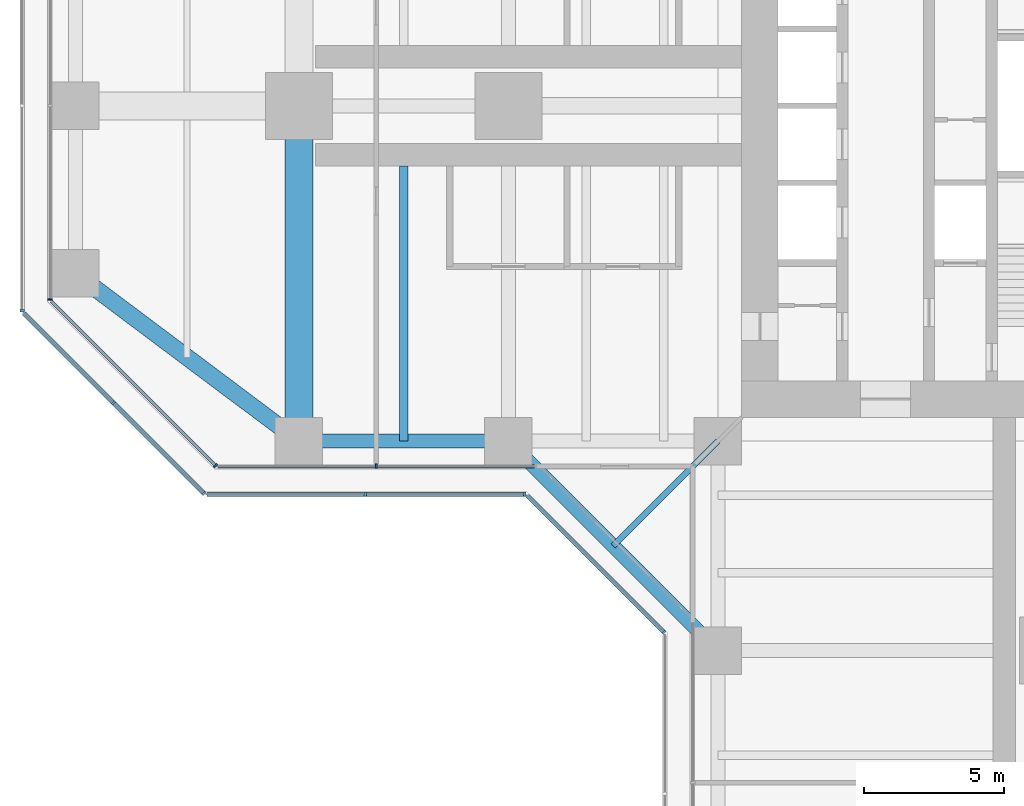
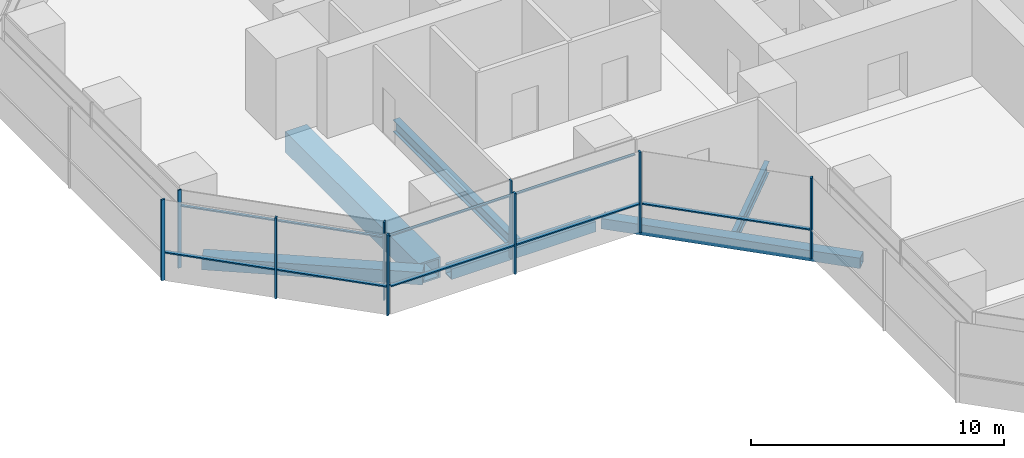
# One storey, part 3 of 22: 17 members, 6 beams, 7 elements without a shape of their own.
"""IFC4 building model written with IfcOpenShell, lengths in metres."""

from ifc_helpers import new_model, si_unit, direction, frame, origin, origin_2d, place, context, subcontext, project, spatial, rectangle, hollow_rectangle, i_section, extrude, material, material_profile, profile_set, type_object, element, aggregate, save


model = new_model("IFC4")

# Units and contexts
model_context = context("Model", 3, precision=1e-05, world=origin(), true_north=direction((0.0, 1.0)))
body_context = subcontext(model_context, "Body", "Model", "MODEL_VIEW")
ifc_project = project(units=[si_unit("LENGTHUNIT", "METRE"), si_unit("AREAUNIT", "SQUARE_METRE"), si_unit("VOLUMEUNIT", "CUBIC_METRE"), si_unit("PLANEANGLEUNIT", "RADIAN"), si_unit("MASSUNIT", "GRAM", prefix="KILO")], contexts=[model_context])

# Site, building, storey
site_placement = place(None, origin())
site = spatial("IfcSite", under=ifc_project, at=site_placement, CompositionType="ELEMENT")
building_placement = place(site_placement, origin())
building = spatial("IfcBuilding", under=site, at=building_placement, Name="Mizan Broadcast Tower", CompositionType="ELEMENT")
storey_placement = place(building_placement, frame((0.0, 0.0, 63.0)))
storey = spatial("IfcBuildingStorey", under=building, at=storey_placement, Name="L12", CompositionType="ELEMENT", Elevation=63.0)

# Beams
ifc_material_1 = material(Name="Steel S355", Category="steel")
ifc_material_profile_1 = material_profile(ifc_material_1, hollow_rectangle(XDim=0.5, YDim=0.5, WallThickness=0.030029296875, at=origin_2d()), Name="BOX 500x500x30")
ifc_profile_set_1 = profile_set([ifc_material_profile_1], Name="Steel S355")
beam_type_1 = type_object("IfcBeamType", Name="EDGE BEAM BOX 500x500x30", PredefinedType="SPANDREL", material=ifc_profile_set_1)
beam_1_placement = place(storey_placement, frame((-19.949951171875, -12.0, -0.3798828125), z_axis=(-1.0, 0.0, 0.0), x_axis=(0.0, -1.0, 0.0)))
element("IfcBeam", 1, at=beam_1_placement, inside=storey, type_object=beam_type_1, Name="Edge beam BOX 500x500x30 L12 west arm", PredefinedType="SPANDREL", context=body_context, shape_type="SweptSolid", body=[
    extrude(hollow_rectangle(XDim=0.5, YDim=0.5, WallThickness=0.030029296875, at=origin_2d()), origin(), (0.0, 0.0, 1.0), 6.60009765625),
])
beam_2_placement = place(storey_placement, frame((-19.5, -12.0, -0.3798828125), z_axis=(0.707106781187, -0.707106781187, 0.0), x_axis=(0.707106781187, 0.707106781187, 0.0)))
element("IfcBeam", 2, at=beam_2_placement, inside=storey, type_object=beam_type_1, Name="Winter garden edge beam L12 W", PredefinedType="SPANDREL", context=body_context, shape_type="SweptSolid", body=[
    extrude(hollow_rectangle(XDim=0.5, YDim=0.5, WallThickness=0.030029296875, at=origin_2d()), origin(), (0.0, 0.0, 1.0), 10.606689453125),
])
ifc_material_2 = material(Name="Steel S355", Category="steel")
ifc_material_profile_2 = material_profile(ifc_material_2, hollow_rectangle(XDim=0.60009765625, YDim=0.60009765625, WallThickness=0.030029296875, at=origin_2d()), Name="BOX 600x600x30")
ifc_profile_set_2 = profile_set([ifc_material_profile_2], Name="Steel S355")
beam_type_2 = type_object("IfcBeamType", Name="EDGE BEAM BOX 600x600x30", PredefinedType="SPANDREL", material=ifc_profile_set_2)
beam_3_placement = place(storey_placement, frame((-27.47998046875, -11.639892578125, -0.429931640625), z_axis=(-0.800013316712, 0.599982243973, 0.0), x_axis=(-0.599982243973, -0.800013316712, 0.0)))
element("IfcBeam", 3, at=beam_3_placement, inside=storey, type_object=beam_type_2, Name="Edge beam BOX 600x600x30 L12 west arm", PredefinedType="SPANDREL", context=body_context, shape_type="SweptSolid", body=[
    extrude(hollow_rectangle(XDim=0.60009765625, YDim=0.60009765625, WallThickness=0.030029296875, at=origin_2d()), origin(), (0.0, 0.0, 1.0), 8.7998046875),
])
ifc_material_3 = material(Name="Steel S460", Category="steel")
ifc_material_profile_3 = material_profile(ifc_material_3, hollow_rectangle(XDim=1.0, YDim=1.0, WallThickness=0.080078125, at=origin_2d()), Name="BOX 1000x1000x80")
ifc_profile_set_3 = profile_set([ifc_material_profile_3], Name="Steel S460")
beam_type_3 = type_object("IfcBeamType", Name="GIRDER BOX 1000x1000x80", PredefinedType="BEAM", material=ifc_profile_set_3)
beam_4_placement = place(storey_placement, frame((-27.0, -11.280029296875, -0.6298828125), z_axis=(0.0, 1.0, 0.0), x_axis=(-1.0, 0.0, 0.0)))
element("IfcBeam", 4, at=beam_4_placement, inside=storey, type_object=beam_type_3, Name="Girder BOX 1000x1000x80 L12 west arm", PredefinedType="BEAM", context=body_context, shape_type="SweptSolid", body=[
    extrude(hollow_rectangle(XDim=1.0, YDim=1.0, WallThickness=0.080078125, at=origin_2d()), origin(), (0.0, 0.0, 1.0), 10.56005859375),
])

# Curtain wall, member
ifc_material_4 = material(Name="Aluminium framed glazing", Category="aluminium")
curtain_wall_type_1 = type_object("IfcCurtainWallType", Name="INNER SKIN LOW ZONE", PredefinedType="USERDEFINED", material=ifc_material_4)
curtain_wall_1_placement = place(storey_placement, origin())
curtain_wall_1 = element("IfcCurtainWall", 5, at=curtain_wall_1_placement, inside=storey, type_object=curtain_wall_type_1, Name="Inner skin low zone L12 W end", ObjectType="INNER SKIN LOW ZONE", PredefinedType="USERDEFINED")
ifc_material_5 = material(Name="Aluminium, pale anodised", Category="aluminium")
ifc_material_profile_4 = material_profile(ifc_material_5, rectangle(XDim=0.159912109375, YDim=0.06005859375, at=origin_2d()), Name="MULLION 160x60")
ifc_profile_set_4 = profile_set([ifc_material_profile_4], Name="Aluminium, pale anodised")
member_type_1 = type_object("IfcMemberType", Name="INNER SKIN MULLION 60x160", PredefinedType="MULLION", material=ifc_profile_set_4)
member_1_placement = place(storey_placement, frame((-35.89990234375, -6.928466796875, 0.0), z_axis=(0.0, 0.0, 1.0), x_axis=(1.0, 0.0, 0.0)))
member_1 = element("IfcMember", 6, at=member_1_placement, type_object=member_type_1, Name="Inner skin low zone L12 W end mullion 3", PredefinedType="MULLION", context=body_context, shape_type="SweptSolid", body=[
    extrude(rectangle(XDim=0.159912109375, YDim=0.06005859375, at=origin_2d()), origin(), (0.0, 0.0, 1.0), 3.77001953125),
])
aggregate(curtain_wall_1, [member_1])

curtain_wall_2_placement = place(storey_placement, origin())
curtain_wall_2 = element("IfcCurtainWall", 7, at=curtain_wall_2_placement, inside=storey, type_object=curtain_wall_type_1, Name="Inner skin low zone L12 W chamfer", ObjectType="INNER SKIN LOW ZONE", PredefinedType="USERDEFINED")
member_2_placement = place(storey_placement, frame((-29.979736328125, -12.87890625, 0.0), z_axis=(0.0, 0.0, 1.0), x_axis=(0.707106781187, 0.707106781187, 0.0)))
member_2 = element("IfcMember", 8, at=member_2_placement, type_object=member_type_1, Name="Inner skin low zone L12 W chamfer mullion 2", PredefinedType="MULLION", context=body_context, shape_type="SweptSolid", body=[
    extrude(rectangle(XDim=0.159912109375, YDim=0.06005859375, at=origin_2d()), origin(), (0.0, 0.0, 1.0), 3.77001953125),
])

curtain_wall_3_placement = place(storey_placement, origin())
curtain_wall_3 = element("IfcCurtainWall", 9, at=curtain_wall_3_placement, inside=storey, type_object=curtain_wall_type_1, Name="Inner skin low zone L12 W side", ObjectType="INNER SKIN LOW ZONE", PredefinedType="USERDEFINED")
member_3_placement = place(storey_placement, frame((-24.229248046875, -12.89990234375, 0.0), z_axis=(0.0, 0.0, 1.0), x_axis=(0.0, 1.0, 0.0)))
member_3 = element("IfcMember", 10, at=member_3_placement, type_object=member_type_1, Name="Inner skin low zone L12 W side mullion 2", PredefinedType="MULLION", context=body_context, shape_type="SweptSolid", body=[
    extrude(rectangle(XDim=0.159912109375, YDim=0.06005859375, at=origin_2d()), origin(), (0.0, 0.0, 1.0), 3.77001953125),
])

# Member
ifc_material_6 = material(Name="Aluminium, pale anodised", Category="aluminium")
ifc_material_profile_5 = material_profile(ifc_material_6, rectangle(XDim=0.1201171875, YDim=0.06005859375, at=origin_2d()), Name="TRANSOM 120x60")
ifc_profile_set_5 = profile_set([ifc_material_profile_5], Name="Aluminium, pale anodised")
member_type_2 = type_object("IfcMemberType", Name="INNER SKIN TRANSOM 60x120", PredefinedType="USERDEFINED", material=ifc_profile_set_5)
member_4_placement = place(storey_placement, frame((-35.857666015625, -7.0009765625, 3.030029296875), z_axis=(0.707106781187, -0.707106781187, 0.0), x_axis=(0.707106781187, 0.707106781187, 0.0)))
member_4 = element("IfcMember", 11, at=member_4_placement, type_object=member_type_2, Name="Inner skin low zone L12 W chamfer transom 1.1", ObjectType="TRANSOM", PredefinedType="USERDEFINED", context=body_context, shape_type="SweptSolid", body=[
    extrude(rectangle(XDim=0.1201171875, YDim=0.06005859375, at=origin_2d()), origin(), (0.0, 0.0, 1.0), 8.28271484375),
])

aggregate(curtain_wall_2, [member_2, member_4])

member_5_placement = place(storey_placement, frame((-29.898681640625, -12.89990234375, 3.030029296875), z_axis=(1.0, 0.0, 0.0), x_axis=(0.0, 1.0, 0.0)))
member_5 = element("IfcMember", 12, at=member_5_placement, type_object=member_type_2, Name="Inner skin low zone L12 W side transom 1.1", ObjectType="TRANSOM", PredefinedType="USERDEFINED", context=body_context, shape_type="SweptSolid", body=[
    extrude(rectangle(XDim=0.1201171875, YDim=0.06005859375, at=origin_2d()), origin(), (0.0, 0.0, 1.0), 5.639404296875),
])

member_6_placement = place(storey_placement, frame((-24.19921875, -12.89990234375, 3.030029296875), z_axis=(1.0, 0.0, 0.0), x_axis=(0.0, 1.0, 0.0)))
member_6 = element("IfcMember", 13, at=member_6_placement, type_object=member_type_2, Name="Inner skin low zone L12 W side transom 2.1", ObjectType="TRANSOM", PredefinedType="USERDEFINED", context=body_context, shape_type="SweptSolid", body=[
    extrude(rectangle(XDim=0.1201171875, YDim=0.06005859375, at=origin_2d()), origin(), (0.0, 0.0, 1.0), 5.63916015625),
])

aggregate(curtain_wall_3, [member_3, member_5, member_6])

# Curtain wall, member
ifc_material_7 = material(Name="Aluminium framed glazing", Category="aluminium")
curtain_wall_type_2 = type_object("IfcCurtainWallType", Name="OUTER SKIN", PredefinedType="USERDEFINED", material=ifc_material_7)
curtain_wall_4_placement = place(storey_placement, origin())
curtain_wall_4 = element("IfcCurtainWall", 14, at=curtain_wall_4_placement, inside=storey, type_object=curtain_wall_type_2, Name="Outer skin L12 W end", ObjectType="OUTER SKIN", PredefinedType="USERDEFINED")
ifc_material_8 = material(Name="Aluminium, pale anodised", Category="aluminium")
ifc_material_profile_6 = material_profile(ifc_material_8, rectangle(XDim=0.159912109375, YDim=0.080078125, at=origin_2d()), Name="MULLION 160x80")
ifc_profile_set_6 = profile_set([ifc_material_profile_6], Name="Aluminium, pale anodised")
member_type_3 = type_object("IfcMemberType", Name="OUTER SKIN MULLION 80x160", PredefinedType="MULLION", material=ifc_profile_set_6)
member_7_placement = place(storey_placement, frame((-36.89990234375, -7.332763671875, 0.0), z_axis=(0.0, 0.0, 1.0), x_axis=(1.0, 0.0, 0.0)))
member_7 = element("IfcMember", 15, at=member_7_placement, type_object=member_type_3, Name="Outer skin L12 W end mullion 3", PredefinedType="MULLION", context=body_context, shape_type="SweptSolid", body=[
    extrude(rectangle(XDim=0.159912109375, YDim=0.080078125, at=origin_2d()), origin(), (0.0, 0.0, 1.0), 3.89990234375),
])
aggregate(curtain_wall_4, [member_7])

# Curtain wall, members
curtain_wall_5_placement = place(storey_placement, origin())
curtain_wall_5 = element("IfcCurtainWall", 16, at=curtain_wall_5_placement, inside=storey, type_object=curtain_wall_type_2, Name="Outer skin L12 W chamfer", ObjectType="OUTER SKIN", PredefinedType="USERDEFINED")
member_8_placement = place(storey_placement, frame((-33.636474609375, -10.636474609375, 0.0), z_axis=(0.0, 0.0, 1.0), x_axis=(0.707106781187, 0.707106781187, 0.0)))
member_8 = element("IfcMember", 17, at=member_8_placement, type_object=member_type_3, Name="Outer skin L12 W chamfer mullion 2", PredefinedType="MULLION", context=body_context, shape_type="SweptSolid", body=[
    extrude(rectangle(XDim=0.159912109375, YDim=0.080078125, at=origin_2d()), origin(), (0.0, 0.0, 1.0), 3.89990234375),
])
member_9_placement = place(storey_placement, frame((-30.401123046875, -13.871826171875, 0.0), z_axis=(0.0, 0.0, 1.0), x_axis=(0.707106781187, 0.707106781187, 0.0)))
member_9 = element("IfcMember", 18, at=member_9_placement, type_object=member_type_3, Name="Outer skin L12 W chamfer mullion 3", PredefinedType="MULLION", context=body_context, shape_type="SweptSolid", body=[
    extrude(rectangle(XDim=0.159912109375, YDim=0.080078125, at=origin_2d()), origin(), (0.0, 0.0, 1.0), 3.89990234375),
])

curtain_wall_6_placement = place(storey_placement, origin())
curtain_wall_6 = element("IfcCurtainWall", 19, at=curtain_wall_6_placement, inside=storey, type_object=curtain_wall_type_2, Name="Outer skin L12 W side", ObjectType="OUTER SKIN", PredefinedType="USERDEFINED")
member_10_placement = place(storey_placement, frame((-24.622802734375, -13.89990234375, 0.0), z_axis=(0.0, 0.0, 1.0), x_axis=(0.0, 1.0, 0.0)))
member_10 = element("IfcMember", 20, at=member_10_placement, type_object=member_type_3, Name="Outer skin L12 W side mullion 2", PredefinedType="MULLION", context=body_context, shape_type="SweptSolid", body=[
    extrude(rectangle(XDim=0.159912109375, YDim=0.080078125, at=origin_2d()), origin(), (0.0, 0.0, 1.0), 3.89990234375),
])
member_11_placement = place(storey_placement, frame((-18.912841796875, -13.89990234375, 0.0), z_axis=(0.0, 0.0, 1.0), x_axis=(0.0, 1.0, 0.0)))
member_11 = element("IfcMember", 21, at=member_11_placement, type_object=member_type_3, Name="Outer skin L12 W side mullion 3", PredefinedType="MULLION", context=body_context, shape_type="SweptSolid", body=[
    extrude(rectangle(XDim=0.159912109375, YDim=0.080078125, at=origin_2d()), origin(), (0.0, 0.0, 1.0), 3.89990234375),
])

# Curtain wall, member
curtain_wall_7_placement = place(storey_placement, origin())
curtain_wall_7 = element("IfcCurtainWall", 22, at=curtain_wall_7_placement, inside=storey, type_object=curtain_wall_type_2, Name="Outer skin L12 W chamfer", ObjectType="OUTER SKIN", PredefinedType="USERDEFINED")
member_12_placement = place(storey_placement, frame((-13.92822265625, -18.844482421875, 0.0), z_axis=(0.0, 0.0, 1.0), x_axis=(0.707106781187, 0.707106781187, 0.0)))
member_12 = element("IfcMember", 23, at=member_12_placement, type_object=member_type_3, Name="Outer skin L12 W chamfer mullion 2", PredefinedType="MULLION", context=body_context, shape_type="SweptSolid", body=[
    extrude(rectangle(XDim=0.159912109375, YDim=0.080078125, at=origin_2d()), origin(), (0.0, 0.0, 1.0), 3.89990234375),
])

# Member
ifc_material_9 = material(Name="Aluminium, pale anodised", Category="aluminium")
ifc_material_profile_7 = material_profile(ifc_material_9, rectangle(XDim=0.159912109375, YDim=0.06005859375, at=origin_2d()), Name="TRANSOM 160x60")
ifc_profile_set_7 = profile_set([ifc_material_profile_7], Name="Aluminium, pale anodised")
member_type_4 = type_object("IfcMemberType", Name="OUTER SKIN TRANSOM 60x160", PredefinedType="USERDEFINED", material=ifc_profile_set_7)
member_13_placement = place(storey_placement, frame((-36.843505859375, -7.429443359375, 1.39990234375), z_axis=(0.707106781187, -0.707106781187, 0.0), x_axis=(0.707106781187, 0.707106781187, 0.0)))
member_13 = element("IfcMember", 24, at=member_13_placement, type_object=member_type_4, Name="Outer skin L12 W chamfer transom 1.1", ObjectType="TRANSOM", PredefinedType="USERDEFINED", context=body_context, shape_type="SweptSolid", body=[
    extrude(rectangle(XDim=0.159912109375, YDim=0.06005859375, at=origin_2d()), origin(), (0.0, 0.0, 1.0), 4.495361328125),
])

member_14_placement = place(storey_placement, frame((-33.608154296875, -10.664794921875, 1.39990234375), z_axis=(0.707106781187, -0.707106781187, 0.0), x_axis=(0.707106781187, 0.707106781187, 0.0)))
member_14 = element("IfcMember", 25, at=member_14_placement, type_object=member_type_4, Name="Outer skin L12 W chamfer transom 2.1", ObjectType="TRANSOM", PredefinedType="USERDEFINED", context=body_context, shape_type="SweptSolid", body=[
    extrude(rectangle(XDim=0.159912109375, YDim=0.06005859375, at=origin_2d()), origin(), (0.0, 0.0, 1.0), 4.495361328125),
])

aggregate(curtain_wall_5, [member_8, member_9, member_13, member_14])

member_15_placement = place(storey_placement, frame((-30.292724609375, -13.89990234375, 1.39990234375), z_axis=(1.0, 0.0, 0.0), x_axis=(0.0, 1.0, 0.0)))
member_15 = element("IfcMember", 26, at=member_15_placement, type_object=member_type_4, Name="Outer skin L12 W side transom 1.1", ObjectType="TRANSOM", PredefinedType="USERDEFINED", context=body_context, shape_type="SweptSolid", body=[
    extrude(rectangle(XDim=0.159912109375, YDim=0.06005859375, at=origin_2d()), origin(), (0.0, 0.0, 1.0), 5.6298828125),
])

member_16_placement = place(storey_placement, frame((-24.582763671875, -13.89990234375, 1.39990234375), z_axis=(1.0, 0.0, 0.0), x_axis=(0.0, 1.0, 0.0)))
member_16 = element("IfcMember", 27, at=member_16_placement, type_object=member_type_4, Name="Outer skin L12 W side transom 2.1", ObjectType="TRANSOM", PredefinedType="USERDEFINED", context=body_context, shape_type="SweptSolid", body=[
    extrude(rectangle(XDim=0.159912109375, YDim=0.06005859375, at=origin_2d()), origin(), (0.0, 0.0, 1.0), 5.6298828125),
])

aggregate(curtain_wall_6, [member_10, member_11, member_15, member_16])

member_17_placement = place(storey_placement, frame((-18.816162109375, -13.95654296875, 1.39990234375), z_axis=(0.707106781187, -0.707106781187, 0.0), x_axis=(0.707106781187, 0.707106781187, 0.0)))
member_17 = element("IfcMember", 28, at=member_17_placement, type_object=member_type_4, Name="Outer skin L12 W chamfer transom 1.1", ObjectType="TRANSOM", PredefinedType="USERDEFINED", context=body_context, shape_type="SweptSolid", body=[
    extrude(rectangle(XDim=0.159912109375, YDim=0.06005859375, at=origin_2d()), origin(), (0.0, 0.0, 1.0), 6.87255859375),
])

aggregate(curtain_wall_7, [member_12, member_17])

# Beams
ifc_material_10 = material(Name="Steel S355", Category="steel")
ifc_material_profile_8 = material_profile(ifc_material_10, i_section(OverallWidth=0.300048828125, OverallDepth=0.590087890625, WebThickness=0.012939453125, FlangeThickness=0.02490234375, FilletRadius=0.027099609375, at=origin_2d()), Name="HEA 600")
ifc_profile_set_8 = profile_set([ifc_material_profile_8], Name="Steel S355")
beam_type_4 = type_object("IfcBeamType", Name="SECONDARY BEAM HEA 600", PredefinedType="JOIST", material=ifc_profile_set_8)
beam_5_placement = place(storey_placement, frame((-23.25, -12.0, -0.425048828125), z_axis=(0.0, 1.0, 0.0), x_axis=(-1.0, 0.0, 0.0)))
element("IfcBeam", 29, at=beam_5_placement, inside=storey, type_object=beam_type_4, Name="Secondary beam HEA 600 L12 west arm", PredefinedType="JOIST", context=body_context, shape_type="SweptSolid", body=[
    extrude(i_section(OverallWidth=0.300048828125, OverallDepth=0.590087890625, WebThickness=0.012939453125, FlangeThickness=0.02490234375, FilletRadius=0.027099609375, at=origin_2d()), origin(), (0.0, 0.0, 1.0), 9.85009765625),
])
ifc_material_11 = material(Name="Steel S355", Category="steel")
ifc_material_profile_9 = material_profile(ifc_material_11, i_section(OverallWidth=0.2099609375, OverallDepth=0.550048828125, WebThickness=0.010986328125, FlangeThickness=0.01708984375, FilletRadius=0.02392578125, at=origin_2d()), Name="IPE 550")
ifc_profile_set_9 = profile_set([ifc_material_profile_9], Name="Steel S355")
beam_type_5 = type_object("IfcBeamType", Name="SECONDARY BEAM IPE 550", PredefinedType="JOIST", material=ifc_profile_set_9)
beam_6_placement = place(storey_placement, frame((-12.0, -12.0, -0.405029296875), z_axis=(-0.707106781187, -0.707106781187, 0.0), x_axis=(0.707106781187, -0.707106781187, 0.0)))
element("IfcBeam", 30, at=beam_6_placement, inside=storey, type_object=beam_type_5, Name="Winter garden beam L12 W", PredefinedType="JOIST", context=body_context, shape_type="SweptSolid", body=[
    extrude(i_section(OverallWidth=0.2099609375, OverallDepth=0.550048828125, WebThickness=0.010986328125, FlangeThickness=0.01708984375, FilletRadius=0.02392578125, at=origin_2d()), origin(), (0.0, 0.0, 1.0), 5.30322265625),
])

save(model, "model.ifc")
